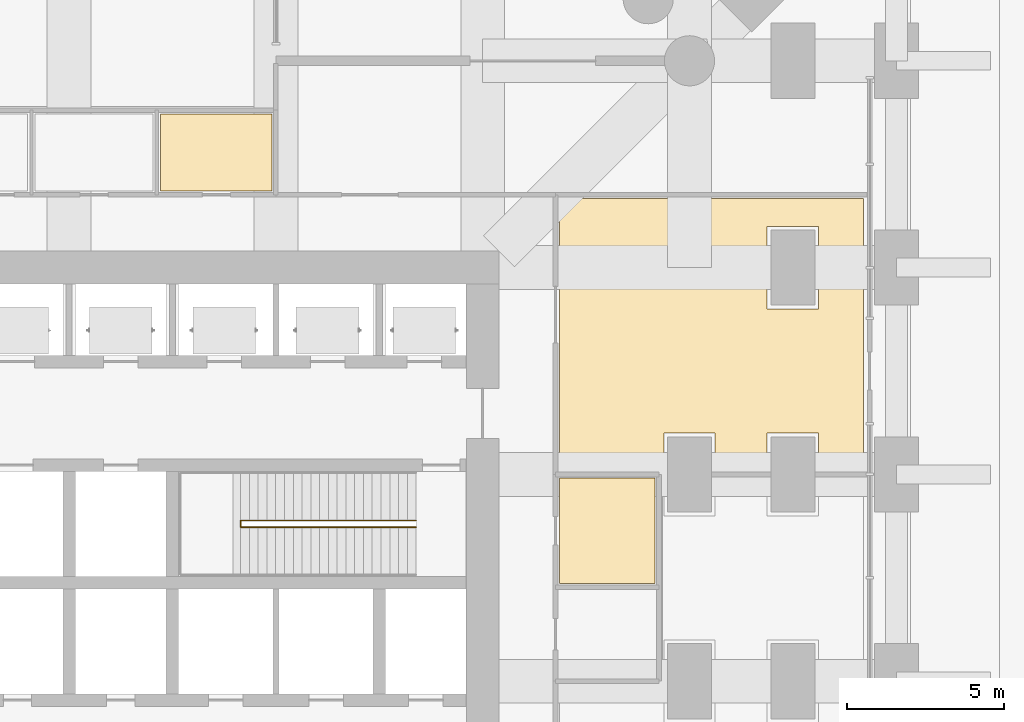
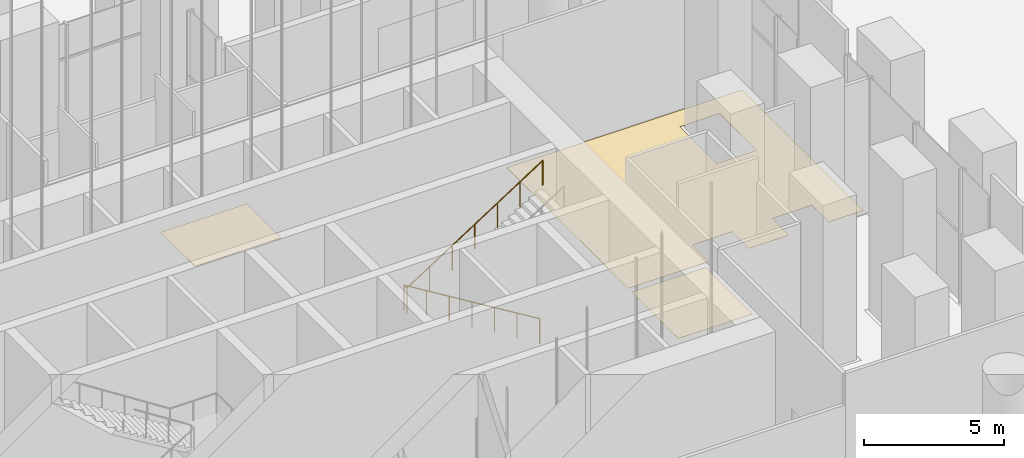
# One storey, part 22 of 32: 3 coverings, 1 railing.
"""IFC4 building model written with IfcOpenShell, lengths in metres."""

from ifc_helpers import new_model, si_unit, direction, frame, origin, place, context, subcontext, project, spatial, polyline, outline, extrude, material, layer, layer_set, type_object, element, save


model = new_model("IFC4")

# Units and contexts
model_context = context("Model", 3, precision=1e-05, world=origin(), true_north=direction((0.0, 1.0)))
body_context = subcontext(model_context, "Body", "Model", "MODEL_VIEW")
ifc_project = project(units=[si_unit("LENGTHUNIT", "METRE"), si_unit("AREAUNIT", "SQUARE_METRE"), si_unit("VOLUMEUNIT", "CUBIC_METRE"), si_unit("PLANEANGLEUNIT", "RADIAN"), si_unit("MASSUNIT", "GRAM", prefix="KILO")], contexts=[model_context])

# Site, building, storey
site_placement = place(None, origin())
site = spatial("IfcSite", under=ifc_project, at=site_placement, CompositionType="ELEMENT")
building_placement = place(site_placement, origin())
building = spatial("IfcBuilding", under=site, at=building_placement, Name="Cobogo Forest Laboratory Tower", CompositionType="ELEMENT")
storey_placement = place(building_placement, origin())
storey = spatial("IfcBuildingStorey", under=building, at=storey_placement, Name="L00", CompositionType="ELEMENT", Elevation=0.0)

# Covering
ifc_material_1 = material(Name="Carpet tile on raised access floor", Category="flooring")
ifc_layer_1 = layer(ifc_material_1, 0.008056640625)
ifc_layer_set_1 = layer_set([ifc_layer_1], Name="CT1 carpet tile floor 8")
covering_type_1 = type_object("IfcCoveringType", Name="CT1 carpet tile floor 8", PredefinedType="FLOORING", material=ifc_layer_set_1)
covering_1_placement = place(storey_placement, origin())
element("IfcCovering", 1, at=covering_1_placement, inside=storey, type_object=covering_type_1, Name="Carpet floor L00-11", PredefinedType="FLOORING", context=body_context, shape_type="SweptSolid", body=[
    extrude(outline(polyline([(50.320068359375, 26.52001953125), (50.320068359375, 27.719970703125), (48.679931640625, 27.719970703125), (48.679931640625, 26.52001953125), (47.02001953125, 26.52001953125), (47.02001953125, 27.719970703125), (45.3798828125, 27.719970703125), (45.3798828125, 26.52001953125), (42.044921875, 26.52001953125), (42.044921875, 35.205078125), (51.75, 35.205078125), (51.75, 26.52001953125), (50.320068359375, 26.52001953125)]), holes=[polyline([(48.679931640625, 34.320068359375), (48.679931640625, 31.679931640625), (50.320068359375, 31.679931640625), (50.320068359375, 34.320068359375), (48.679931640625, 34.320068359375)])]), origin(), (0.0, 0.0, 1.0), 0.008056640625),
])

# Railing
ifc_material_2 = material(Name="Steel balustrade", Category="steel")
railing_type = type_object("IfcRailingType", Name="GR stair guard 1100", PredefinedType="GUARDRAIL", material=ifc_material_2)
railing_placement = place(storey_placement, frame((37.47509765625, 24.929931640625, 0.17138671875)))
element("IfcRailing", 2, at=railing_placement, inside=storey, type_object=railing_type, Name="Stair guard ST2 L00", PredefinedType="GUARDRAIL", context=body_context, shape_type="SweptSolid", body=[
    extrude(outline(polyline([(0.022216796875, 0.00927734375), (0.00927734375, 0.022216796875), (-0.00927734375, 0.022216796875), (-0.022216796875, 0.00927734375), (-0.022216796875, -0.00927734375), (-0.00927734375, -0.022216796875), (0.00927734375, -0.022216796875), (0.022216796875, -0.00927734375), (0.022216796875, 0.00927734375)])), frame((0.0, 0.0, 1.077880859375), z_axis=(-0.852845897599, 0.0, 0.522162690116), x_axis=(0.0, -1.0, 0.0)), (0.0, 0.0, 1.0), 6.56640625),
    extrude(outline(polyline([(0.022216796875, 0.00927734375), (0.00927734375, 0.022216796875), (-0.00927734375, 0.022216796875), (-0.022216796875, 0.00927734375), (-0.022216796875, -0.00927734375), (-0.00927734375, -0.022216796875), (0.00927734375, -0.022216796875), (0.022216796875, -0.00927734375), (0.022216796875, 0.00927734375)])), frame((-5.60009765625, 0.0, 4.506591796875), z_axis=(0.0, -1.0, 0.0), x_axis=(1.0, 0.0, 0.0)), (0.0, 0.0, 1.0), 0.2099609375),
    extrude(outline(polyline([(0.022216796875, 0.00927734375), (0.00927734375, 0.022216796875), (-0.00927734375, 0.022216796875), (-0.022216796875, 0.00927734375), (-0.022216796875, -0.00927734375), (-0.00927734375, -0.022216796875), (0.00927734375, -0.022216796875), (0.022216796875, -0.00927734375), (0.022216796875, 0.00927734375)])), frame((-5.60009765625, -0.2099609375, 4.506591796875), z_axis=(0.841192773368, 0.0, 0.540735349347), x_axis=(0.0, 1.0, 0.0)), (0.0, 0.0, 1.0), 6.6572265625),
    extrude(outline(polyline([(0.019287109375, 0.008056640625), (0.008056640625, 0.019287109375), (-0.008056640625, 0.019287109375), (-0.019287109375, 0.008056640625), (-0.019287109375, -0.008056640625), (-0.008056640625, -0.019287109375), (0.008056640625, -0.019287109375), (0.019287109375, -0.008056640625), (0.019287109375, 0.008056640625)])), origin(), (0.0, 0.0, 1.0), 1.077880859375),
    extrude(outline(polyline([(0.019287109375, 0.008056640625), (0.008056640625, 0.019287109375), (-0.008056640625, 0.019287109375), (-0.019287109375, 0.008056640625), (-0.019287109375, -0.008056640625), (-0.008056640625, -0.019287109375), (0.008056640625, -0.019287109375), (0.019287109375, -0.008056640625), (0.019287109375, 0.008056640625)])), frame((-0.933349609375, 0.0, 0.571533203125)), (0.0, 0.0, 1.0), 1.077880859375),
    extrude(outline(polyline([(0.019287109375, 0.008056640625), (0.008056640625, 0.019287109375), (-0.008056640625, 0.019287109375), (-0.019287109375, 0.008056640625), (-0.019287109375, -0.008056640625), (-0.008056640625, -0.019287109375), (0.008056640625, -0.019287109375), (0.019287109375, -0.008056640625), (0.019287109375, 0.008056640625)])), frame((-1.86669921875, 0.0, 1.142822265625)), (0.0, 0.0, 1.0), 1.077880859375),
    extrude(outline(polyline([(0.019287109375, 0.008056640625), (0.008056640625, 0.019287109375), (-0.008056640625, 0.019287109375), (-0.019287109375, 0.008056640625), (-0.019287109375, -0.008056640625), (-0.008056640625, -0.019287109375), (0.008056640625, -0.019287109375), (0.019287109375, -0.008056640625), (0.019287109375, 0.008056640625)])), frame((-2.800048828125, 0.0, 1.71435546875)), (0.0, 0.0, 1.0), 1.077880859375),
    extrude(outline(polyline([(0.019287109375, 0.008056640625), (0.008056640625, 0.019287109375), (-0.008056640625, 0.019287109375), (-0.019287109375, 0.008056640625), (-0.019287109375, -0.008056640625), (-0.008056640625, -0.019287109375), (0.008056640625, -0.019287109375), (0.019287109375, -0.008056640625), (0.019287109375, 0.008056640625)])), frame((-3.7333984375, 0.0, 2.285888671875)), (0.0, 0.0, 1.0), 1.077880859375),
    extrude(outline(polyline([(0.019287109375, 0.008056640625), (0.008056640625, 0.019287109375), (-0.008056640625, 0.019287109375), (-0.019287109375, 0.008056640625), (-0.019287109375, -0.008056640625), (-0.008056640625, -0.019287109375), (0.008056640625, -0.019287109375), (0.019287109375, -0.008056640625), (0.019287109375, 0.008056640625)])), frame((-4.666748046875, 0.0, 2.857177734375)), (0.0, 0.0, 1.0), 1.077880859375),
    extrude(outline(polyline([(0.019287109375, 0.008056640625), (0.008056640625, 0.019287109375), (-0.008056640625, 0.019287109375), (-0.019287109375, 0.008056640625), (-0.019287109375, -0.008056640625), (-0.008056640625, -0.019287109375), (0.008056640625, -0.019287109375), (0.019287109375, -0.008056640625), (0.019287109375, 0.008056640625)])), frame((-5.60009765625, 0.0, 3.4287109375)), (0.0, 0.0, 1.0), 1.077880859375),
    extrude(outline(polyline([(0.019287109375, 0.008056640625), (0.008056640625, 0.019287109375), (-0.008056640625, 0.019287109375), (-0.019287109375, 0.008056640625), (-0.019287109375, -0.008056640625), (-0.008056640625, -0.019287109375), (0.008056640625, -0.019287109375), (0.019287109375, -0.008056640625), (0.019287109375, 0.008056640625)])), frame((-5.60009765625, -0.2099609375, 3.4287109375)), (0.0, 0.0, 1.0), 1.077880859375),
    extrude(outline(polyline([(0.019287109375, 0.008056640625), (0.008056640625, 0.019287109375), (-0.008056640625, 0.019287109375), (-0.019287109375, 0.008056640625), (-0.019287109375, -0.008056640625), (-0.008056640625, -0.019287109375), (0.008056640625, -0.019287109375), (0.019287109375, -0.008056640625), (0.019287109375, 0.008056640625)])), frame((-4.666748046875, -0.2099609375, 4.02880859375)), (0.0, 0.0, 1.0), 1.077880859375),
    extrude(outline(polyline([(0.019287109375, 0.008056640625), (0.008056640625, 0.019287109375), (-0.008056640625, 0.019287109375), (-0.019287109375, 0.008056640625), (-0.019287109375, -0.008056640625), (-0.008056640625, -0.019287109375), (0.008056640625, -0.019287109375), (0.019287109375, -0.008056640625), (0.019287109375, 0.008056640625)])), frame((-3.7333984375, -0.2099609375, 4.628662109375)), (0.0, 0.0, 1.0), 1.077880859375),
    extrude(outline(polyline([(0.019287109375, 0.008056640625), (0.008056640625, 0.019287109375), (-0.008056640625, 0.019287109375), (-0.019287109375, 0.008056640625), (-0.019287109375, -0.008056640625), (-0.008056640625, -0.019287109375), (0.008056640625, -0.019287109375), (0.019287109375, -0.008056640625), (0.019287109375, 0.008056640625)])), frame((-2.800048828125, -0.2099609375, 5.228515625)), (0.0, 0.0, 1.0), 1.077880859375),
    extrude(outline(polyline([(0.019287109375, 0.008056640625), (0.008056640625, 0.019287109375), (-0.008056640625, 0.019287109375), (-0.019287109375, 0.008056640625), (-0.019287109375, -0.008056640625), (-0.008056640625, -0.019287109375), (0.008056640625, -0.019287109375), (0.019287109375, -0.008056640625), (0.019287109375, 0.008056640625)])), frame((-1.86669921875, -0.2099609375, 5.82861328125)), (0.0, 0.0, 1.0), 1.077880859375),
    extrude(outline(polyline([(0.019287109375, 0.008056640625), (0.008056640625, 0.019287109375), (-0.008056640625, 0.019287109375), (-0.019287109375, 0.008056640625), (-0.019287109375, -0.008056640625), (-0.008056640625, -0.019287109375), (0.008056640625, -0.019287109375), (0.019287109375, -0.008056640625), (0.019287109375, 0.008056640625)])), frame((-0.933349609375, -0.2099609375, 6.4287109375)), (0.0, 0.0, 1.0), 1.077880859375),
    extrude(outline(polyline([(0.019287109375, 0.008056640625), (0.008056640625, 0.019287109375), (-0.008056640625, 0.019287109375), (-0.019287109375, 0.008056640625), (-0.019287109375, -0.008056640625), (-0.008056640625, -0.019287109375), (0.008056640625, -0.019287109375), (0.019287109375, -0.008056640625), (0.019287109375, 0.008056640625)])), frame((0.0, -0.2099609375, 7.028564453125)), (0.0, 0.0, 1.0), 1.077880859375),
])

# Coverings
ifc_material_3 = material(Name="Static-dissipative vinyl flooring", Category="flooring")
ifc_layer_2 = layer(ifc_material_3, 0.0029296875)
ifc_layer_set_2 = layer_set([ifc_layer_2], Name="SD1 static-dissipative vinyl floor 3")
covering_type_2 = type_object("IfcCoveringType", Name="SD1 static-dissipative vinyl floor 3", PredefinedType="FLOORING", material=ifc_layer_set_2)
covering_2_placement = place(storey_placement, origin())
element("IfcCovering", 3, at=covering_2_placement, inside=storey, type_object=covering_type_2, Name="Static-dissipative floor L00-16", PredefinedType="FLOORING", context=body_context, shape_type="SweptSolid", body=[
    extrude(outline(polyline([(45.10498046875, 22.919921875), (42.044921875, 22.919921875), (42.044921875, 26.280029296875), (45.10498046875, 26.280029296875), (45.10498046875, 22.919921875)])), origin(), (0.0, 0.0, 1.0), 0.0029296875),
])
ifc_material_4 = material(Name="Ceramic floor tile", Category="flooring")
ifc_layer_3 = layer(ifc_material_4, 0.010009765625)
ifc_layer_set_3 = layer_set([ifc_layer_3], Name="TF1 ceramic tile floor 10")
covering_type_3 = type_object("IfcCoveringType", Name="TF1 ceramic tile floor 10", PredefinedType="FLOORING", material=ifc_layer_set_3)
covering_3_placement = place(storey_placement, origin())
element("IfcCovering", 4, at=covering_3_placement, inside=storey, type_object=covering_type_3, Name="Tile floor L00-14", PredefinedType="FLOORING", context=body_context, shape_type="SweptSolid", body=[
    extrude(outline(polyline([(32.8798828125, 35.445068359375), (29.320068359375, 35.445068359375), (29.320068359375, 37.905029296875), (32.8798828125, 37.905029296875), (32.8798828125, 35.445068359375)])), origin(), (0.0, 0.0, 1.0), 0.010009765625),
])

save(model, "model.ifc")
